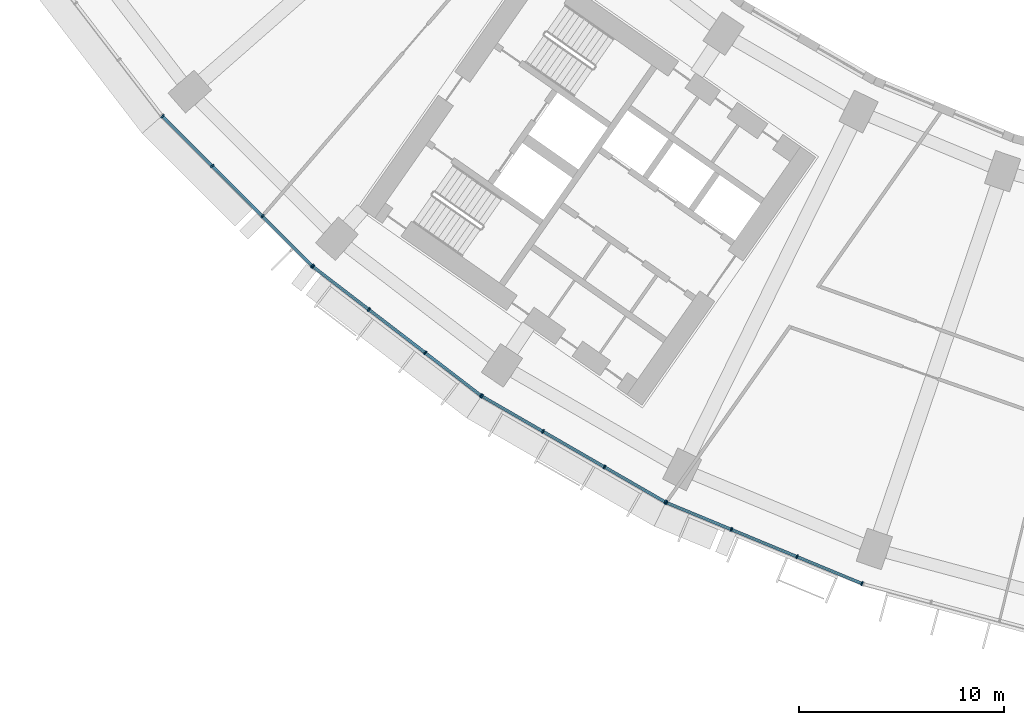
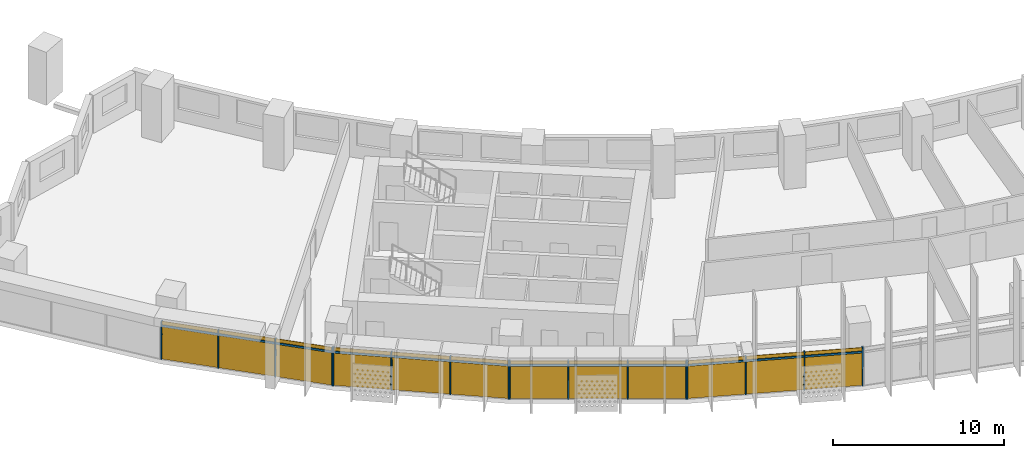
# One storey, part 19 of 33: 28 members, 4 curtain walls.
"""IFC4 building model written with IfcOpenShell, lengths in metres."""

from ifc_helpers import new_model, si_unit, direction, frame, origin, origin_2d, place, context, subcontext, project, spatial, rectangle, extrude, material, material_profile, profile_set, type_object, element, aggregate, save


model = new_model("IFC4")

# Units and contexts
model_context = context("Model", 3, precision=1e-05, world=origin(), true_north=direction((0.0, 1.0)))
body_context = subcontext(model_context, "Body", "Model", "MODEL_VIEW")
ifc_project = project(units=[si_unit("LENGTHUNIT", "METRE"), si_unit("AREAUNIT", "SQUARE_METRE"), si_unit("VOLUMEUNIT", "CUBIC_METRE"), si_unit("PLANEANGLEUNIT", "RADIAN"), si_unit("MASSUNIT", "GRAM", prefix="KILO")], contexts=[model_context])

# Member
ifc_material = material(Name="Aluminium 6063-T6 anodised", Category="aluminium")
ifc_material_profile_1 = material_profile(ifc_material, rectangle(XDim=0.199951171875, YDim=0.070068359375, at=origin_2d()))
ifc_profile_set_1 = profile_set([ifc_material_profile_1], Name="Aluminium 6063-T6 anodised")
member_type_1 = type_object("IfcMemberType", Name="Mullion 70 x 200 aluminium", PredefinedType="MULLION", material=ifc_profile_set_1)
site_placement = place(None, origin())
building_placement = place(site_placement, origin())
storey_placement = place(building_placement, frame((0.0, 0.0, 78.5)))
member_1_placement = place(storey_placement, frame((-59.78857421875, -52.470947265625, 0.0), z_axis=(0.0, 0.0, 1.0), x_axis=(0.707106781187, 0.707106781187, 0.0)))
member_1 = element("IfcMember", 1, at=member_1_placement, type_object=member_type_1, Name="e-cw1-L16-out02/M00", PredefinedType="MULLION", context=body_context, shape_type="SweptSolid", body=[
    extrude(rectangle(XDim=0.199951171875, YDim=0.070068359375, at=origin_2d()), origin(), (0.0, 0.0, 1.0), 2.699951171875),
])

member_2_placement = place(storey_placement, frame((-57.357666015625, -54.90185546875, 0.0), z_axis=(0.0, 0.0, 1.0), x_axis=(0.707106781187, 0.707106781187, 0.0)))
member_2 = element("IfcMember", 2, at=member_2_placement, type_object=member_type_1, Name="e-cw1-L16-out02/M01", PredefinedType="MULLION", context=body_context, shape_type="SweptSolid", body=[
    extrude(rectangle(XDim=0.199951171875, YDim=0.070068359375, at=origin_2d()), origin(), (0.0, 0.0, 1.0), 2.699951171875),
])

member_3_placement = place(storey_placement, frame((-54.90185546875, -57.357666015625, 0.0), z_axis=(0.0, 0.0, 1.0), x_axis=(0.707106781187, 0.707106781187, 0.0)))
member_3 = element("IfcMember", 3, at=member_3_placement, type_object=member_type_1, Name="e-cw1-L16-out02/M02", PredefinedType="MULLION", context=body_context, shape_type="SweptSolid", body=[
    extrude(rectangle(XDim=0.199951171875, YDim=0.070068359375, at=origin_2d()), origin(), (0.0, 0.0, 1.0), 2.699951171875),
])

member_4_placement = place(storey_placement, frame((-52.470947265625, -59.78857421875, 0.0), z_axis=(0.0, 0.0, 1.0), x_axis=(0.707106781187, 0.707106781187, 0.0)))
member_4 = element("IfcMember", 4, at=member_4_placement, type_object=member_type_1, Name="e-cw1-L16-out02/M03", PredefinedType="MULLION", context=body_context, shape_type="SweptSolid", body=[
    extrude(rectangle(XDim=0.199951171875, YDim=0.070068359375, at=origin_2d()), origin(), (0.0, 0.0, 1.0), 2.699951171875),
])

member_5_placement = place(storey_placement, frame((-52.42822265625, -59.825927734375, 0.0), z_axis=(0.0, 0.0, 1.0), x_axis=(0.608761429009, 0.793353340291, 0.0)))
member_5 = element("IfcMember", 5, at=member_5_placement, type_object=member_type_1, Name="e-cw1-L16-out03/M00", PredefinedType="MULLION", context=body_context, shape_type="SweptSolid", body=[
    extrude(rectangle(XDim=0.199951171875, YDim=0.070068359375, at=origin_2d()), origin(), (0.0, 0.0, 1.0), 2.699951171875),
])

member_6_placement = place(storey_placement, frame((-49.70068359375, -61.9189453125, 0.0), z_axis=(0.0, 0.0, 1.0), x_axis=(0.608761429009, 0.793353340291, 0.0)))
member_6 = element("IfcMember", 6, at=member_6_placement, type_object=member_type_1, Name="e-cw1-L16-out03/M01", PredefinedType="MULLION", context=body_context, shape_type="SweptSolid", body=[
    extrude(rectangle(XDim=0.199951171875, YDim=0.070068359375, at=origin_2d()), origin(), (0.0, 0.0, 1.0), 2.699951171875),
])

member_7_placement = place(storey_placement, frame((-46.945556640625, -64.032958984375, 0.0), z_axis=(0.0, 0.0, 1.0), x_axis=(0.608761429009, 0.793353340291, 0.0)))
member_7 = element("IfcMember", 7, at=member_7_placement, type_object=member_type_1, Name="e-cw1-L16-out03/M02", PredefinedType="MULLION", context=body_context, shape_type="SweptSolid", body=[
    extrude(rectangle(XDim=0.199951171875, YDim=0.070068359375, at=origin_2d()), origin(), (0.0, 0.0, 1.0), 2.699951171875),
])

member_8_placement = place(storey_placement, frame((-44.218017578125, -66.1259765625, 0.0), z_axis=(0.0, 0.0, 1.0), x_axis=(0.608761429009, 0.793353340291, 0.0)))
member_8 = element("IfcMember", 8, at=member_8_placement, type_object=member_type_1, Name="e-cw1-L16-out03/M03", PredefinedType="MULLION", context=body_context, shape_type="SweptSolid", body=[
    extrude(rectangle(XDim=0.199951171875, YDim=0.070068359375, at=origin_2d()), origin(), (0.0, 0.0, 1.0), 2.699951171875),
])

member_9_placement = place(storey_placement, frame((-44.1708984375, -66.157470703125, 0.0), z_axis=(0.0, 0.0, 1.0), x_axis=(0.5, 0.866025403784, 0.0)))
member_9 = element("IfcMember", 9, at=member_9_placement, type_object=member_type_1, Name="e-cw1-L16-out04/M00", PredefinedType="MULLION", context=body_context, shape_type="SweptSolid", body=[
    extrude(rectangle(XDim=0.199951171875, YDim=0.070068359375, at=origin_2d()), origin(), (0.0, 0.0, 1.0), 2.699951171875),
])

member_10_placement = place(storey_placement, frame((-41.193603515625, -67.87646484375, 0.0), z_axis=(0.0, 0.0, 1.0), x_axis=(0.5, 0.866025403784, 0.0)))
member_10 = element("IfcMember", 10, at=member_10_placement, type_object=member_type_1, Name="e-cw1-L16-out04/M01", PredefinedType="MULLION", context=body_context, shape_type="SweptSolid", body=[
    extrude(rectangle(XDim=0.199951171875, YDim=0.070068359375, at=origin_2d()), origin(), (0.0, 0.0, 1.0), 2.699951171875),
])

member_11_placement = place(storey_placement, frame((-38.18603515625, -69.61279296875, 0.0), z_axis=(0.0, 0.0, 1.0), x_axis=(0.5, 0.866025403784, 0.0)))
member_11 = element("IfcMember", 11, at=member_11_placement, type_object=member_type_1, Name="e-cw1-L16-out04/M02", PredefinedType="MULLION", context=body_context, shape_type="SweptSolid", body=[
    extrude(rectangle(XDim=0.199951171875, YDim=0.070068359375, at=origin_2d()), origin(), (0.0, 0.0, 1.0), 2.699951171875),
])

member_12_placement = place(storey_placement, frame((-35.20849609375, -71.331787109375, 0.0), z_axis=(0.0, 0.0, 1.0), x_axis=(0.5, 0.866025403784, 0.0)))
member_12 = element("IfcMember", 12, at=member_12_placement, type_object=member_type_1, Name="e-cw1-L16-out04/M03", PredefinedType="MULLION", context=body_context, shape_type="SweptSolid", body=[
    extrude(rectangle(XDim=0.199951171875, YDim=0.070068359375, at=origin_2d()), origin(), (0.0, 0.0, 1.0), 2.699951171875),
])

member_13_placement = place(storey_placement, frame((-35.15771484375, -71.35693359375, 0.0), z_axis=(0.0, 0.0, 1.0), x_axis=(0.382683432365, 0.923879532511, 0.0)))
member_13 = element("IfcMember", 13, at=member_13_placement, type_object=member_type_1, Name="e-cw1-L16-out05/M00", PredefinedType="MULLION", context=body_context, shape_type="SweptSolid", body=[
    extrude(rectangle(XDim=0.199951171875, YDim=0.070068359375, at=origin_2d()), origin(), (0.0, 0.0, 1.0), 2.699951171875),
])

member_14_placement = place(storey_placement, frame((-31.9814453125, -72.672607421875, 0.0), z_axis=(0.0, 0.0, 1.0), x_axis=(0.382683432365, 0.923879532511, 0.0)))
member_14 = element("IfcMember", 14, at=member_14_placement, type_object=member_type_1, Name="e-cw1-L16-out05/M01", PredefinedType="MULLION", context=body_context, shape_type="SweptSolid", body=[
    extrude(rectangle(XDim=0.199951171875, YDim=0.070068359375, at=origin_2d()), origin(), (0.0, 0.0, 1.0), 2.699951171875),
])

member_15_placement = place(storey_placement, frame((-28.77294921875, -74.00146484375, 0.0), z_axis=(0.0, 0.0, 1.0), x_axis=(0.382683432365, 0.923879532511, 0.0)))
member_15 = element("IfcMember", 15, at=member_15_placement, type_object=member_type_1, Name="e-cw1-L16-out05/M02", PredefinedType="MULLION", context=body_context, shape_type="SweptSolid", body=[
    extrude(rectangle(XDim=0.199951171875, YDim=0.070068359375, at=origin_2d()), origin(), (0.0, 0.0, 1.0), 2.699951171875),
])

member_16_placement = place(storey_placement, frame((-25.5966796875, -75.317138671875, 0.0), z_axis=(0.0, 0.0, 1.0), x_axis=(0.382683432365, 0.923879532511, 0.0)))
member_16 = element("IfcMember", 16, at=member_16_placement, type_object=member_type_1, Name="e-cw1-L16-out05/M03", PredefinedType="MULLION", context=body_context, shape_type="SweptSolid", body=[
    extrude(rectangle(XDim=0.199951171875, YDim=0.070068359375, at=origin_2d()), origin(), (0.0, 0.0, 1.0), 2.699951171875),
])

ifc_material_profile_2 = material_profile(ifc_material, rectangle(XDim=0.139892578125, YDim=0.1201171875, at=origin_2d()))
ifc_profile_set_2 = profile_set([ifc_material_profile_2], Name="Aluminium 6063-T6 anodised")
member_type_2 = type_object("IfcMemberType", Name="Transom 120 x 140 aluminium", PredefinedType="USERDEFINED", material=ifc_profile_set_2)
member_17_placement = place(storey_placement, frame((-59.763916015625, -52.49560546875, 2.39990234375), z_axis=(0.707106781187, -0.707106781187, 0.0), x_axis=(0.707106781187, 0.707106781187, 0.0)))
member_17 = element("IfcMember", 17, at=member_17_placement, type_object=member_type_2, Name="e-cw1-L16-out02/T00", ObjectType="TRANSOM", PredefinedType="USERDEFINED", context=body_context, shape_type="SweptSolid", body=[
    extrude(rectangle(XDim=0.139892578125, YDim=0.1201171875, at=origin_2d()), origin(), (0.0, 0.0, 1.0), 3.3681640625),
])

member_18_placement = place(storey_placement, frame((-57.332763671875, -54.9267578125, 2.39990234375), z_axis=(0.707106781187, -0.707106781187, 0.0), x_axis=(0.707106781187, 0.707106781187, 0.0)))
member_18 = element("IfcMember", 18, at=member_18_placement, type_object=member_type_2, Name="e-cw1-L16-out02/T01", ObjectType="TRANSOM", PredefinedType="USERDEFINED", context=body_context, shape_type="SweptSolid", body=[
    extrude(rectangle(XDim=0.139892578125, YDim=0.1201171875, at=origin_2d()), origin(), (0.0, 0.0, 1.0), 3.402587890625),
])

member_19_placement = place(storey_placement, frame((-54.877197265625, -57.38232421875, 2.39990234375), z_axis=(0.707106781187, -0.707106781187, 0.0), x_axis=(0.707106781187, 0.707106781187, 0.0)))
member_19 = element("IfcMember", 19, at=member_19_placement, type_object=member_type_2, Name="e-cw1-L16-out02/T02", ObjectType="TRANSOM", PredefinedType="USERDEFINED", context=body_context, shape_type="SweptSolid", body=[
    extrude(rectangle(XDim=0.139892578125, YDim=0.1201171875, at=origin_2d()), origin(), (0.0, 0.0, 1.0), 3.3681640625),
])

member_20_placement = place(storey_placement, frame((-52.400390625, -59.847412109375, 2.39990234375), z_axis=(0.793375276742, -0.608732839803, 0.0), x_axis=(0.608732839803, 0.793375276742, 0.0)))
member_20 = element("IfcMember", 20, at=member_20_placement, type_object=member_type_2, Name="e-cw1-L16-out03/T00", ObjectType="TRANSOM", PredefinedType="USERDEFINED", context=body_context, shape_type="SweptSolid", body=[
    extrude(rectangle(XDim=0.139892578125, YDim=0.1201171875, at=origin_2d()), origin(), (0.0, 0.0, 1.0), 3.36767578125),
])

member_21_placement = place(storey_placement, frame((-49.673095703125, -61.940185546875, 2.39990234375), z_axis=(0.793356868815, -0.60875683052, 0.0), x_axis=(0.60875683052, 0.793356868815, 0.0)))
member_21 = element("IfcMember", 21, at=member_21_placement, type_object=member_type_2, Name="e-cw1-L16-out03/T01", ObjectType="TRANSOM", PredefinedType="USERDEFINED", context=body_context, shape_type="SweptSolid", body=[
    extrude(rectangle(XDim=0.139892578125, YDim=0.1201171875, at=origin_2d()), origin(), (0.0, 0.0, 1.0), 3.40283203125),
])

member_22_placement = place(storey_placement, frame((-46.917724609375, -64.054443359375, 2.39990234375), z_axis=(0.793375276742, -0.608732839803, 0.0), x_axis=(0.608732839803, 0.793375276742, 0.0)))
member_22 = element("IfcMember", 22, at=member_22_placement, type_object=member_type_2, Name="e-cw1-L16-out03/T02", ObjectType="TRANSOM", PredefinedType="USERDEFINED", context=body_context, shape_type="SweptSolid", body=[
    extrude(rectangle(XDim=0.139892578125, YDim=0.1201171875, at=origin_2d()), origin(), (0.0, 0.0, 1.0), 3.36767578125),
])

member_23_placement = place(storey_placement, frame((-44.140625, -66.175048828125, 2.39990234375), z_axis=(0.866044351828, -0.49996717959, 0.0), x_axis=(0.49996717959, 0.866044351828, 0.0)))
member_23 = element("IfcMember", 23, at=member_23_placement, type_object=member_type_2, Name="e-cw1-L16-out04/T00", ObjectType="TRANSOM", PredefinedType="USERDEFINED", context=body_context, shape_type="SweptSolid", body=[
    extrude(rectangle(XDim=0.139892578125, YDim=0.1201171875, at=origin_2d()), origin(), (0.0, 0.0, 1.0), 3.367919921875),
])

member_24_placement = place(storey_placement, frame((-41.163330078125, -67.893798828125, 2.39990234375), z_axis=(0.866000398227, -0.500043308395, 0.0), x_axis=(0.500043308395, 0.866000398227, 0.0)))
member_24 = element("IfcMember", 24, at=member_24_placement, type_object=member_type_2, Name="e-cw1-L16-out04/T01", ObjectType="TRANSOM", PredefinedType="USERDEFINED", context=body_context, shape_type="SweptSolid", body=[
    extrude(rectangle(XDim=0.139892578125, YDim=0.1201171875, at=origin_2d()), origin(), (0.0, 0.0, 1.0), 3.403076171875),
])

member_25_placement = place(storey_placement, frame((-38.155517578125, -69.63037109375, 2.39990234375), z_axis=(0.866026229868, -0.499998569178, 0.0), x_axis=(0.499998569178, 0.866026229868, 0.0)))
member_25 = element("IfcMember", 25, at=member_25_placement, type_object=member_type_2, Name="e-cw1-L16-out04/T02", ObjectType="TRANSOM", PredefinedType="USERDEFINED", context=body_context, shape_type="SweptSolid", body=[
    extrude(rectangle(XDim=0.139892578125, YDim=0.1201171875, at=origin_2d()), origin(), (0.0, 0.0, 1.0), 3.36767578125),
])

member_26_placement = place(storey_placement, frame((-35.125244140625, -71.370361328125, 2.39990234375), z_axis=(0.923872807855, -0.382699666719, 0.0), x_axis=(0.382699666719, 0.923872807855, 0.0)))
member_26 = element("IfcMember", 26, at=member_26_placement, type_object=member_type_2, Name="e-cw1-L16-out05/T00", ObjectType="TRANSOM", PredefinedType="USERDEFINED", context=body_context, shape_type="SweptSolid", body=[
    extrude(rectangle(XDim=0.139892578125, YDim=0.1201171875, at=origin_2d()), origin(), (0.0, 0.0, 1.0), 3.36767578125),
])

member_27_placement = place(storey_placement, frame((-31.94921875, -72.68603515625, 2.39990234375), z_axis=(0.92388567708, -0.382668597728, 0.0), x_axis=(0.382668597728, 0.92388567708, 0.0)))
member_27 = element("IfcMember", 27, at=member_27_placement, type_object=member_type_2, Name="e-cw1-L16-out05/T01", ObjectType="TRANSOM", PredefinedType="USERDEFINED", context=body_context, shape_type="SweptSolid", body=[
    extrude(rectangle(XDim=0.139892578125, YDim=0.1201171875, at=origin_2d()), origin(), (0.0, 0.0, 1.0), 3.403076171875),
])

member_28_placement = place(storey_placement, frame((-28.740478515625, -74.014892578125, 2.39990234375), z_axis=(0.923872807855, -0.382699666719, 0.0), x_axis=(0.382699666719, 0.923872807855, 0.0)))
member_28 = element("IfcMember", 28, at=member_28_placement, type_object=member_type_2, Name="e-cw1-L16-out05/T02", ObjectType="TRANSOM", PredefinedType="USERDEFINED", context=body_context, shape_type="SweptSolid", body=[
    extrude(rectangle(XDim=0.139892578125, YDim=0.1201171875, at=origin_2d()), origin(), (0.0, 0.0, 1.0), 3.36767578125),
])

# Site, building, storey
site = spatial("IfcSite", under=ifc_project, at=site_placement, CompositionType="ELEMENT")
building = spatial("IfcBuilding", under=site, at=building_placement, Name="Qamariyya Broadcast Tower", CompositionType="ELEMENT")
storey = spatial("IfcBuildingStorey", under=building, at=storey_placement, Name="L16", CompositionType="ELEMENT", Elevation=78.5)

# Curtain wall
curtain_wall_type = type_object("IfcCurtainWallType", Name="Unitised curtain wall, anodised aluminium", PredefinedType="NOTDEFINED", material=ifc_material)
curtain_wall_1_placement = place(storey_placement, origin())
curtain_wall_1 = element("IfcCurtainWall", 29, at=curtain_wall_1_placement, inside=storey, type_object=curtain_wall_type, Name="e-cw1-L16-out02", PredefinedType="NOTDEFINED", context=body_context, shape_type="SweptSolid", body=[
    extrude(rectangle(XDim=3.367919921875, YDim=0.031982421875, at=origin_2d()), frame((-58.572998046875, -53.6865234375, 0.0), x_axis=(0.707106781187, -0.707106781187, 0.0)), (0.0, 0.0, 1.0), 2.340087890625),
    extrude(rectangle(XDim=3.367919921875, YDim=0.031982421875, at=origin_2d()), frame((-58.572998046875, -53.6865234375, 2.4599609375), x_axis=(0.707106781187, -0.707106781187, 0.0)), (0.0, 0.0, 1.0), 0.239990234375),
    extrude(rectangle(XDim=3.40283203125, YDim=0.031982421875, at=origin_2d()), frame((-56.1298828125, -56.1298828125, 0.0), x_axis=(0.707106781187, -0.707106781187, 0.0)), (0.0, 0.0, 1.0), 2.340087890625),
    extrude(rectangle(XDim=3.40283203125, YDim=0.031982421875, at=origin_2d()), frame((-56.1298828125, -56.1298828125, 2.4599609375), x_axis=(0.707106781187, -0.707106781187, 0.0)), (0.0, 0.0, 1.0), 0.239990234375),
    extrude(rectangle(XDim=3.367919921875, YDim=0.031982421875, at=origin_2d()), frame((-53.6865234375, -58.572998046875, 0.0), x_axis=(0.707106781187, -0.707106781187, 0.0)), (0.0, 0.0, 1.0), 2.340087890625),
    extrude(rectangle(XDim=3.367919921875, YDim=0.031982421875, at=origin_2d()), frame((-53.6865234375, -58.572998046875, 2.4599609375), x_axis=(0.707106781187, -0.707106781187, 0.0)), (0.0, 0.0, 1.0), 0.239990234375),
])

aggregate(curtain_wall_1, [member_1, member_2, member_3, member_4, member_17, member_18, member_19])

curtain_wall_2_placement = place(storey_placement, origin())
curtain_wall_2 = element("IfcCurtainWall", 30, at=curtain_wall_2_placement, inside=storey, type_object=curtain_wall_type, Name="e-cw1-L16-out03", PredefinedType="NOTDEFINED", context=body_context, shape_type="SweptSolid", body=[
    extrude(rectangle(XDim=3.367919921875, YDim=0.031982421875, at=origin_2d()), frame((-51.064453125, -60.872314453125, 0.0), x_axis=(0.79335775203, -0.608755679475, 0.0)), (0.0, 0.0, 1.0), 2.340087890625),
    extrude(rectangle(XDim=3.367919921875, YDim=0.031982421875, at=origin_2d()), frame((-51.064453125, -60.872314453125, 2.4599609375), x_axis=(0.79335775203, -0.608755679475, 0.0)), (0.0, 0.0, 1.0), 0.239990234375),
    extrude(rectangle(XDim=3.40283203125, YDim=0.031982421875, at=origin_2d()), frame((-48.3232421875, -62.97607421875, 0.0), x_axis=(0.79335775203, -0.608755679475, 0.0)), (0.0, 0.0, 1.0), 2.340087890625),
    extrude(rectangle(XDim=3.40283203125, YDim=0.031982421875, at=origin_2d()), frame((-48.3232421875, -62.97607421875, 2.4599609375), x_axis=(0.79335775203, -0.608755679475, 0.0)), (0.0, 0.0, 1.0), 0.239990234375),
    extrude(rectangle(XDim=3.367919921875, YDim=0.031982421875, at=origin_2d()), frame((-45.581787109375, -65.07958984375, 0.0), x_axis=(0.79335775203, -0.608755679475, 0.0)), (0.0, 0.0, 1.0), 2.340087890625),
    extrude(rectangle(XDim=3.367919921875, YDim=0.031982421875, at=origin_2d()), frame((-45.581787109375, -65.07958984375, 2.4599609375), x_axis=(0.79335775203, -0.608755679475, 0.0)), (0.0, 0.0, 1.0), 0.239990234375),
])

aggregate(curtain_wall_2, [member_5, member_6, member_7, member_8, member_20, member_21, member_22])

curtain_wall_3_placement = place(storey_placement, origin())
curtain_wall_3 = element("IfcCurtainWall", 31, at=curtain_wall_3_placement, inside=storey, type_object=curtain_wall_type, Name="e-cw1-L16-out04", PredefinedType="NOTDEFINED", context=body_context, shape_type="SweptSolid", body=[
    extrude(rectangle(XDim=3.367919921875, YDim=0.031982421875, at=origin_2d()), frame((-42.68212890625, -67.016845703125, 0.0), x_axis=(0.86602247392, -0.500005074639, 0.0)), (0.0, 0.0, 1.0), 2.340087890625),
    extrude(rectangle(XDim=3.367919921875, YDim=0.031982421875, at=origin_2d()), frame((-42.68212890625, -67.016845703125, 2.4599609375), x_axis=(0.86602247392, -0.500005074639, 0.0)), (0.0, 0.0, 1.0), 0.239990234375),
    extrude(rectangle(XDim=3.40283203125, YDim=0.031982421875, at=origin_2d()), frame((-39.689697265625, -68.74462890625, 0.0), x_axis=(0.86602247392, -0.500005074639, 0.0)), (0.0, 0.0, 1.0), 2.340087890625),
    extrude(rectangle(XDim=3.40283203125, YDim=0.031982421875, at=origin_2d()), frame((-39.689697265625, -68.74462890625, 2.4599609375), x_axis=(0.86602247392, -0.500005074639, 0.0)), (0.0, 0.0, 1.0), 0.239990234375),
    extrude(rectangle(XDim=3.367919921875, YDim=0.031982421875, at=origin_2d()), frame((-36.697265625, -70.472412109375, 0.0), x_axis=(0.86602247392, -0.500005074639, 0.0)), (0.0, 0.0, 1.0), 2.340087890625),
    extrude(rectangle(XDim=3.367919921875, YDim=0.031982421875, at=origin_2d()), frame((-36.697265625, -70.472412109375, 2.4599609375), x_axis=(0.86602247392, -0.500005074639, 0.0)), (0.0, 0.0, 1.0), 0.239990234375),
])

aggregate(curtain_wall_3, [member_9, member_10, member_11, member_12, member_23, member_24, member_25])

curtain_wall_4_placement = place(storey_placement, origin())
curtain_wall_4 = element("IfcCurtainWall", 32, at=curtain_wall_4_placement, inside=storey, type_object=curtain_wall_type, Name="e-cw1-L16-out05", PredefinedType="NOTDEFINED", context=body_context, shape_type="SweptSolid", body=[
    extrude(rectangle(XDim=3.367919921875, YDim=0.031982421875, at=origin_2d()), frame((-33.569580078125, -72.0146484375, 0.0), x_axis=(0.92387774222, -0.382687754482, 0.0)), (0.0, 0.0, 1.0), 2.340087890625),
    extrude(rectangle(XDim=3.367919921875, YDim=0.031982421875, at=origin_2d()), frame((-33.569580078125, -72.0146484375, 2.4599609375), x_axis=(0.92387774222, -0.382687754482, 0.0)), (0.0, 0.0, 1.0), 0.239990234375),
    extrude(rectangle(XDim=3.40283203125, YDim=0.031982421875, at=origin_2d()), frame((-30.377197265625, -73.3369140625, 0.0), x_axis=(0.92387774222, -0.382687754482, 0.0)), (0.0, 0.0, 1.0), 2.340087890625),
    extrude(rectangle(XDim=3.40283203125, YDim=0.031982421875, at=origin_2d()), frame((-30.377197265625, -73.3369140625, 2.4599609375), x_axis=(0.92387774222, -0.382687754482, 0.0)), (0.0, 0.0, 1.0), 0.239990234375),
    extrude(rectangle(XDim=3.367919921875, YDim=0.031982421875, at=origin_2d()), frame((-27.184814453125, -74.659423828125, 0.0), x_axis=(0.92387774222, -0.382687754482, 0.0)), (0.0, 0.0, 1.0), 2.340087890625),
    extrude(rectangle(XDim=3.367919921875, YDim=0.031982421875, at=origin_2d()), frame((-27.184814453125, -74.659423828125, 2.4599609375), x_axis=(0.92387774222, -0.382687754482, 0.0)), (0.0, 0.0, 1.0), 0.239990234375),
])

aggregate(curtain_wall_4, [member_13, member_14, member_15, member_16, member_26, member_27, member_28])

save(model, "model.ifc")
